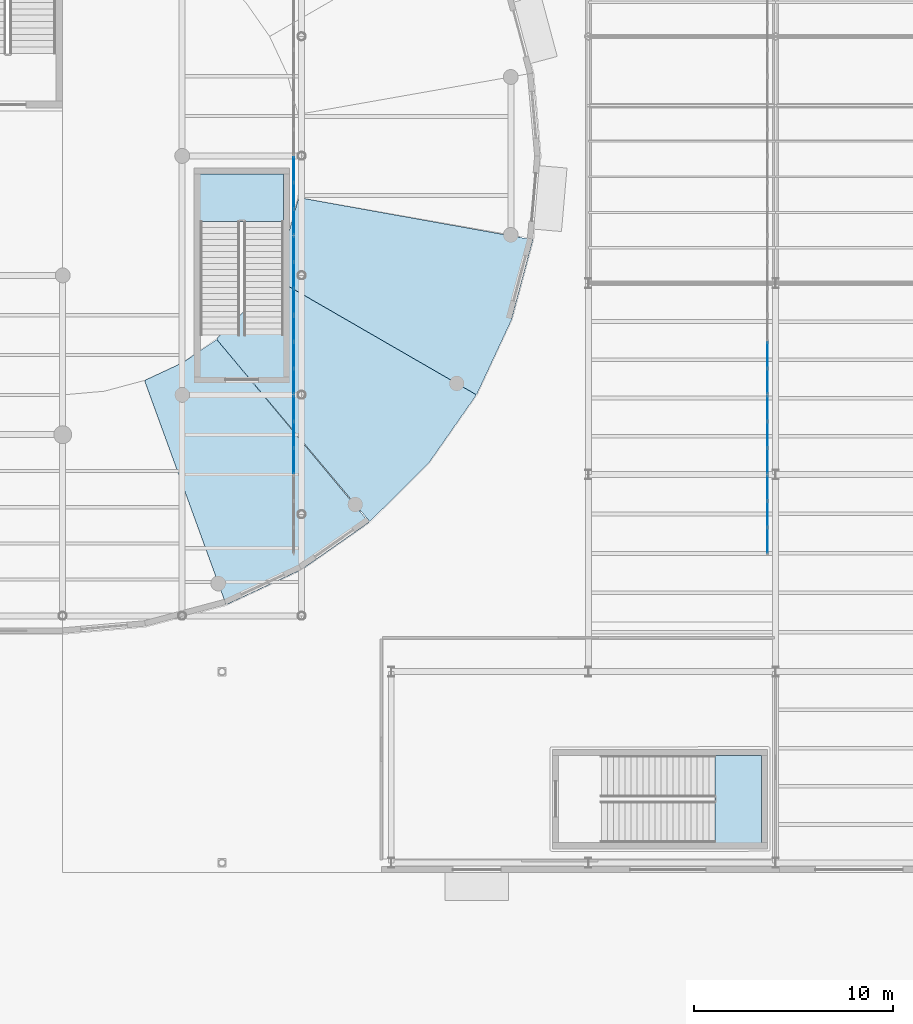
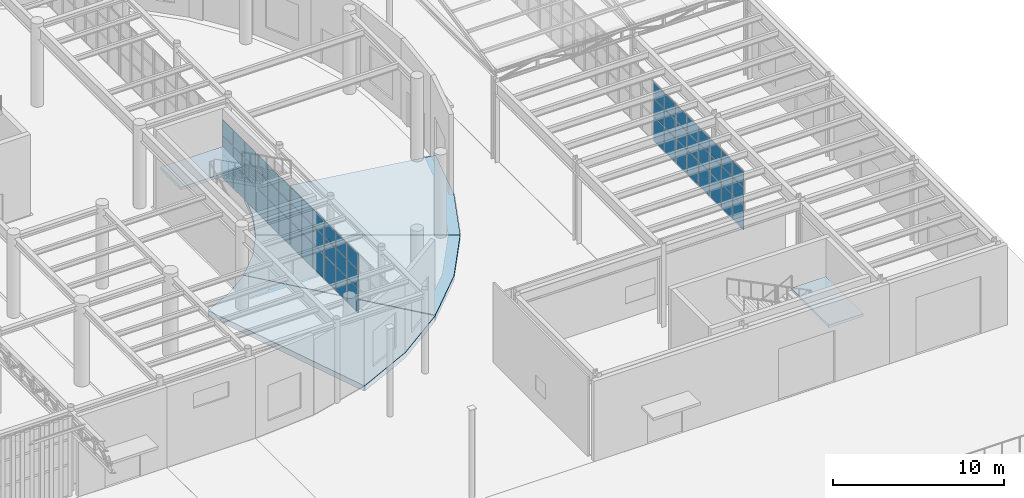
# One storey, part 78 of 118: 60 plates, 5 slabs, 9 elements without a shape of their own.
"""IFC4 building model written with IfcOpenShell, lengths in metres."""

from ifc_helpers import new_model, si_unit, direction, frame, origin, origin_2d, place, context, subcontext, project, spatial, polyline, rectangle, outline, extrude, material, layer, layer_set, type_object, element, aggregate, save


model = new_model("IFC4")

# Units and contexts
model_context = context("Model", 3, precision=1e-05, world=origin(), true_north=direction((0.0, 1.0)))
body_context = subcontext(model_context, "Body", "Model", "MODEL_VIEW")
ifc_project = project(units=[si_unit("LENGTHUNIT", "METRE"), si_unit("AREAUNIT", "SQUARE_METRE"), si_unit("VOLUMEUNIT", "CUBIC_METRE"), si_unit("PLANEANGLEUNIT", "RADIAN"), si_unit("MASSUNIT", "GRAM", prefix="KILO")], contexts=[model_context])

# Site, building, storey
site_placement = place(None, origin())
site = spatial("IfcSite", under=ifc_project, at=site_placement, CompositionType="ELEMENT")
building_placement = place(site_placement, origin())
building = spatial("IfcBuilding", under=site, at=building_placement, Name="Kolvaren Corner Interchange", CompositionType="ELEMENT")
storey_placement = place(building_placement, origin())
storey = spatial("IfcBuildingStorey", under=building, at=storey_placement, Name="L01", CompositionType="ELEMENT", Elevation=0.0)

# Curtain wall, plates
ifc_material_1 = material(Name="Unitised Aluminium and Solar-Control Glass Curtain Wall", Category="aluminium")
curtain_wall_type = type_object("IfcCurtainWallType", Name="CW-V4-BOARD", PredefinedType="NOTDEFINED", material=ifc_material_1)
curtain_wall_1_placement = place(storey_placement, origin())
curtain_wall_1 = element("IfcCurtainWall", 1, at=curtain_wall_1_placement, inside=storey, type_object=curtain_wall_type, Name="Bus Island West Boarding Curtain Wall Bay 02", PredefinedType="NOTDEFINED")
ifc_material_2 = material(Name="Low-E Solar-Control Laminated Glass", Category="glass")
ifc_layer_1 = layer(ifc_material_2, 0.035888671875)
ifc_layer_set_1 = layer_set([ifc_layer_1], Name="Low-E Solar-Control Laminated Glass")
plate_type = type_object("IfcPlateType", Name="PLT-CW-GL32", PredefinedType="CURTAIN_PANEL", material=ifc_layer_set_1)
plate_1_placement = place(storey_placement, frame((131.60009765625, 32.681640625, 0.05517578125), z_axis=(0.0, 0.0, 1.0), x_axis=(0.0, 1.0, 0.0)))
plate_1 = element("IfcPlate", 2, at=plate_1_placement, type_object=plate_type, Name="CW-127 panel 1.1", PredefinedType="CURTAIN_PANEL", context=body_context, shape_type="SweptSolid", body=[
    extrude(rectangle(XDim=1.243408203125, YDim=0.035888671875, at=origin_2d()), origin(), (0.0, 0.0, 1.0), 1.717529296875),
])
plate_2_placement = place(storey_placement, frame((131.60009765625, 32.681640625, 1.827392578125), z_axis=(0.0, 0.0, 1.0), x_axis=(0.0, 1.0, 0.0)))
plate_2 = element("IfcPlate", 3, at=plate_2_placement, type_object=plate_type, Name="CW-127 panel 1.2", PredefinedType="CURTAIN_PANEL", context=body_context, shape_type="SweptSolid", body=[
    extrude(rectangle(XDim=1.243408203125, YDim=0.035888671875, at=origin_2d()), origin(), (0.0, 0.0, 1.0), 1.2451171875),
])
plate_3_placement = place(storey_placement, frame((131.60009765625, 32.681640625, 3.12744140625), z_axis=(0.0, 0.0, 1.0), x_axis=(0.0, 1.0, 0.0)))
plate_3 = element("IfcPlate", 4, at=plate_3_placement, type_object=plate_type, Name="CW-127 panel 1.3", PredefinedType="CURTAIN_PANEL", context=body_context, shape_type="SweptSolid", body=[
    extrude(rectangle(XDim=1.243408203125, YDim=0.035888671875, at=origin_2d()), origin(), (0.0, 0.0, 1.0), 1.117431640625),
])
plate_4_placement = place(storey_placement, frame((131.60009765625, 34.0, 0.05517578125), z_axis=(0.0, 0.0, 1.0), x_axis=(0.0, 1.0, 0.0)))
plate_4 = element("IfcPlate", 5, at=plate_4_placement, type_object=plate_type, Name="CW-127 panel 2.1", PredefinedType="CURTAIN_PANEL", context=body_context, shape_type="SweptSolid", body=[
    extrude(rectangle(XDim=1.2734375, YDim=0.035888671875, at=origin_2d()), origin(), (0.0, 0.0, 1.0), 1.717529296875),
])
plate_5_placement = place(storey_placement, frame((131.60009765625, 34.0, 1.827392578125), z_axis=(0.0, 0.0, 1.0), x_axis=(0.0, 1.0, 0.0)))
plate_5 = element("IfcPlate", 6, at=plate_5_placement, type_object=plate_type, Name="CW-127 panel 2.2", PredefinedType="CURTAIN_PANEL", context=body_context, shape_type="SweptSolid", body=[
    extrude(rectangle(XDim=1.2734375, YDim=0.035888671875, at=origin_2d()), origin(), (0.0, 0.0, 1.0), 1.2451171875),
])
plate_6_placement = place(storey_placement, frame((131.60009765625, 34.0, 3.12744140625), z_axis=(0.0, 0.0, 1.0), x_axis=(0.0, 1.0, 0.0)))
plate_6 = element("IfcPlate", 7, at=plate_6_placement, type_object=plate_type, Name="CW-127 panel 2.3", PredefinedType="CURTAIN_PANEL", context=body_context, shape_type="SweptSolid", body=[
    extrude(rectangle(XDim=1.2734375, YDim=0.035888671875, at=origin_2d()), origin(), (0.0, 0.0, 1.0), 1.117431640625),
])
plate_7_placement = place(storey_placement, frame((131.60009765625, 35.318359375, 0.05517578125), z_axis=(0.0, 0.0, 1.0), x_axis=(0.0, 1.0, 0.0)))
plate_7 = element("IfcPlate", 8, at=plate_7_placement, type_object=plate_type, Name="CW-127 panel 3.1", PredefinedType="CURTAIN_PANEL", context=body_context, shape_type="SweptSolid", body=[
    extrude(rectangle(XDim=1.243408203125, YDim=0.035888671875, at=origin_2d()), origin(), (0.0, 0.0, 1.0), 1.717529296875),
])
plate_8_placement = place(storey_placement, frame((131.60009765625, 35.318359375, 1.827392578125), z_axis=(0.0, 0.0, 1.0), x_axis=(0.0, 1.0, 0.0)))
plate_8 = element("IfcPlate", 9, at=plate_8_placement, type_object=plate_type, Name="CW-127 panel 3.2", PredefinedType="CURTAIN_PANEL", context=body_context, shape_type="SweptSolid", body=[
    extrude(rectangle(XDim=1.243408203125, YDim=0.035888671875, at=origin_2d()), origin(), (0.0, 0.0, 1.0), 1.2451171875),
])
plate_9_placement = place(storey_placement, frame((131.60009765625, 35.318359375, 3.12744140625), z_axis=(0.0, 0.0, 1.0), x_axis=(0.0, 1.0, 0.0)))
plate_9 = element("IfcPlate", 10, at=plate_9_placement, type_object=plate_type, Name="CW-127 panel 3.3", PredefinedType="CURTAIN_PANEL", context=body_context, shape_type="SweptSolid", body=[
    extrude(rectangle(XDim=1.243408203125, YDim=0.035888671875, at=origin_2d()), origin(), (0.0, 0.0, 1.0), 1.117431640625),
])
aggregate(curtain_wall_1, [plate_1, plate_2, plate_3, plate_4, plate_5, plate_6, plate_7, plate_8, plate_9])

curtain_wall_2_placement = place(storey_placement, origin())
curtain_wall_2 = element("IfcCurtainWall", 11, at=curtain_wall_2_placement, inside=storey, type_object=curtain_wall_type, Name="Bus Island West Boarding Curtain Wall Bay 03", PredefinedType="NOTDEFINED")
plate_10_placement = place(storey_placement, frame((131.60009765625, 36.681640625, 0.05517578125), z_axis=(0.0, 0.0, 1.0), x_axis=(0.0, 1.0, 0.0)))
plate_10 = element("IfcPlate", 12, at=plate_10_placement, type_object=plate_type, Name="CW-128 panel 1.1", PredefinedType="CURTAIN_PANEL", context=body_context, shape_type="SweptSolid", body=[
    extrude(rectangle(XDim=1.243408203125, YDim=0.035888671875, at=origin_2d()), origin(), (0.0, 0.0, 1.0), 1.717529296875),
])
plate_11_placement = place(storey_placement, frame((131.60009765625, 36.681640625, 1.827392578125), z_axis=(0.0, 0.0, 1.0), x_axis=(0.0, 1.0, 0.0)))
plate_11 = element("IfcPlate", 13, at=plate_11_placement, type_object=plate_type, Name="CW-128 panel 1.2", PredefinedType="CURTAIN_PANEL", context=body_context, shape_type="SweptSolid", body=[
    extrude(rectangle(XDim=1.243408203125, YDim=0.035888671875, at=origin_2d()), origin(), (0.0, 0.0, 1.0), 1.2451171875),
])
plate_12_placement = place(storey_placement, frame((131.60009765625, 36.681640625, 3.12744140625), z_axis=(0.0, 0.0, 1.0), x_axis=(0.0, 1.0, 0.0)))
plate_12 = element("IfcPlate", 14, at=plate_12_placement, type_object=plate_type, Name="CW-128 panel 1.3", PredefinedType="CURTAIN_PANEL", context=body_context, shape_type="SweptSolid", body=[
    extrude(rectangle(XDim=1.243408203125, YDim=0.035888671875, at=origin_2d()), origin(), (0.0, 0.0, 1.0), 1.117431640625),
])
plate_13_placement = place(storey_placement, frame((131.60009765625, 38.0, 0.05517578125), z_axis=(0.0, 0.0, 1.0), x_axis=(0.0, 1.0, 0.0)))
plate_13 = element("IfcPlate", 15, at=plate_13_placement, type_object=plate_type, Name="CW-128 panel 2.1", PredefinedType="CURTAIN_PANEL", context=body_context, shape_type="SweptSolid", body=[
    extrude(rectangle(XDim=1.2734375, YDim=0.035888671875, at=origin_2d()), origin(), (0.0, 0.0, 1.0), 1.717529296875),
])
plate_14_placement = place(storey_placement, frame((131.60009765625, 38.0, 1.827392578125), z_axis=(0.0, 0.0, 1.0), x_axis=(0.0, 1.0, 0.0)))
plate_14 = element("IfcPlate", 16, at=plate_14_placement, type_object=plate_type, Name="CW-128 panel 2.2", PredefinedType="CURTAIN_PANEL", context=body_context, shape_type="SweptSolid", body=[
    extrude(rectangle(XDim=1.2734375, YDim=0.035888671875, at=origin_2d()), origin(), (0.0, 0.0, 1.0), 1.2451171875),
])
plate_15_placement = place(storey_placement, frame((131.60009765625, 38.0, 3.12744140625), z_axis=(0.0, 0.0, 1.0), x_axis=(0.0, 1.0, 0.0)))
plate_15 = element("IfcPlate", 17, at=plate_15_placement, type_object=plate_type, Name="CW-128 panel 2.3", PredefinedType="CURTAIN_PANEL", context=body_context, shape_type="SweptSolid", body=[
    extrude(rectangle(XDim=1.2734375, YDim=0.035888671875, at=origin_2d()), origin(), (0.0, 0.0, 1.0), 1.117431640625),
])
plate_16_placement = place(storey_placement, frame((131.60009765625, 39.318359375, 0.05517578125), z_axis=(0.0, 0.0, 1.0), x_axis=(0.0, 1.0, 0.0)))
plate_16 = element("IfcPlate", 18, at=plate_16_placement, type_object=plate_type, Name="CW-128 panel 3.1", PredefinedType="CURTAIN_PANEL", context=body_context, shape_type="SweptSolid", body=[
    extrude(rectangle(XDim=1.243408203125, YDim=0.035888671875, at=origin_2d()), origin(), (0.0, 0.0, 1.0), 1.717529296875),
])
plate_17_placement = place(storey_placement, frame((131.60009765625, 39.318359375, 1.827392578125), z_axis=(0.0, 0.0, 1.0), x_axis=(0.0, 1.0, 0.0)))
plate_17 = element("IfcPlate", 19, at=plate_17_placement, type_object=plate_type, Name="CW-128 panel 3.2", PredefinedType="CURTAIN_PANEL", context=body_context, shape_type="SweptSolid", body=[
    extrude(rectangle(XDim=1.243408203125, YDim=0.035888671875, at=origin_2d()), origin(), (0.0, 0.0, 1.0), 1.2451171875),
])
plate_18_placement = place(storey_placement, frame((131.60009765625, 39.318359375, 3.12744140625), z_axis=(0.0, 0.0, 1.0), x_axis=(0.0, 1.0, 0.0)))
plate_18 = element("IfcPlate", 20, at=plate_18_placement, type_object=plate_type, Name="CW-128 panel 3.3", PredefinedType="CURTAIN_PANEL", context=body_context, shape_type="SweptSolid", body=[
    extrude(rectangle(XDim=1.243408203125, YDim=0.035888671875, at=origin_2d()), origin(), (0.0, 0.0, 1.0), 1.117431640625),
])
aggregate(curtain_wall_2, [plate_10, plate_11, plate_12, plate_13, plate_14, plate_15, plate_16, plate_17, plate_18])

curtain_wall_3_placement = place(storey_placement, origin())
curtain_wall_3 = element("IfcCurtainWall", 21, at=curtain_wall_3_placement, inside=storey, type_object=curtain_wall_type, Name="Bus Island West Boarding Curtain Wall Bay 04", PredefinedType="NOTDEFINED")
plate_19_placement = place(storey_placement, frame((131.60009765625, 40.681640625, 0.05517578125), z_axis=(0.0, 0.0, 1.0), x_axis=(0.0, 1.0, 0.0)))
plate_19 = element("IfcPlate", 22, at=plate_19_placement, type_object=plate_type, Name="CW-129 panel 1.1", PredefinedType="CURTAIN_PANEL", context=body_context, shape_type="SweptSolid", body=[
    extrude(rectangle(XDim=1.243408203125, YDim=0.035888671875, at=origin_2d()), origin(), (0.0, 0.0, 1.0), 1.717529296875),
])
plate_20_placement = place(storey_placement, frame((131.60009765625, 40.681640625, 1.827392578125), z_axis=(0.0, 0.0, 1.0), x_axis=(0.0, 1.0, 0.0)))
plate_20 = element("IfcPlate", 23, at=plate_20_placement, type_object=plate_type, Name="CW-129 panel 1.2", PredefinedType="CURTAIN_PANEL", context=body_context, shape_type="SweptSolid", body=[
    extrude(rectangle(XDim=1.243408203125, YDim=0.035888671875, at=origin_2d()), origin(), (0.0, 0.0, 1.0), 1.2451171875),
])
plate_21_placement = place(storey_placement, frame((131.60009765625, 40.681640625, 3.12744140625), z_axis=(0.0, 0.0, 1.0), x_axis=(0.0, 1.0, 0.0)))
plate_21 = element("IfcPlate", 24, at=plate_21_placement, type_object=plate_type, Name="CW-129 panel 1.3", PredefinedType="CURTAIN_PANEL", context=body_context, shape_type="SweptSolid", body=[
    extrude(rectangle(XDim=1.243408203125, YDim=0.035888671875, at=origin_2d()), origin(), (0.0, 0.0, 1.0), 1.117431640625),
])
plate_22_placement = place(storey_placement, frame((131.60009765625, 42.0, 0.05517578125), z_axis=(0.0, 0.0, 1.0), x_axis=(0.0, 1.0, 0.0)))
plate_22 = element("IfcPlate", 25, at=plate_22_placement, type_object=plate_type, Name="CW-129 panel 2.1", PredefinedType="CURTAIN_PANEL", context=body_context, shape_type="SweptSolid", body=[
    extrude(rectangle(XDim=1.2734375, YDim=0.035888671875, at=origin_2d()), origin(), (0.0, 0.0, 1.0), 1.717529296875),
])
plate_23_placement = place(storey_placement, frame((131.60009765625, 42.0, 1.827392578125), z_axis=(0.0, 0.0, 1.0), x_axis=(0.0, 1.0, 0.0)))
plate_23 = element("IfcPlate", 26, at=plate_23_placement, type_object=plate_type, Name="CW-129 panel 2.2", PredefinedType="CURTAIN_PANEL", context=body_context, shape_type="SweptSolid", body=[
    extrude(rectangle(XDim=1.2734375, YDim=0.035888671875, at=origin_2d()), origin(), (0.0, 0.0, 1.0), 1.2451171875),
])
plate_24_placement = place(storey_placement, frame((131.60009765625, 42.0, 3.12744140625), z_axis=(0.0, 0.0, 1.0), x_axis=(0.0, 1.0, 0.0)))
plate_24 = element("IfcPlate", 27, at=plate_24_placement, type_object=plate_type, Name="CW-129 panel 2.3", PredefinedType="CURTAIN_PANEL", context=body_context, shape_type="SweptSolid", body=[
    extrude(rectangle(XDim=1.2734375, YDim=0.035888671875, at=origin_2d()), origin(), (0.0, 0.0, 1.0), 1.117431640625),
])
plate_25_placement = place(storey_placement, frame((131.60009765625, 43.318359375, 0.05517578125), z_axis=(0.0, 0.0, 1.0), x_axis=(0.0, 1.0, 0.0)))
plate_25 = element("IfcPlate", 28, at=plate_25_placement, type_object=plate_type, Name="CW-129 panel 3.1", PredefinedType="CURTAIN_PANEL", context=body_context, shape_type="SweptSolid", body=[
    extrude(rectangle(XDim=1.243408203125, YDim=0.035888671875, at=origin_2d()), origin(), (0.0, 0.0, 1.0), 1.717529296875),
])
plate_26_placement = place(storey_placement, frame((131.60009765625, 43.318359375, 1.827392578125), z_axis=(0.0, 0.0, 1.0), x_axis=(0.0, 1.0, 0.0)))
plate_26 = element("IfcPlate", 29, at=plate_26_placement, type_object=plate_type, Name="CW-129 panel 3.2", PredefinedType="CURTAIN_PANEL", context=body_context, shape_type="SweptSolid", body=[
    extrude(rectangle(XDim=1.243408203125, YDim=0.035888671875, at=origin_2d()), origin(), (0.0, 0.0, 1.0), 1.2451171875),
])
plate_27_placement = place(storey_placement, frame((131.60009765625, 43.318359375, 3.12744140625), z_axis=(0.0, 0.0, 1.0), x_axis=(0.0, 1.0, 0.0)))
plate_27 = element("IfcPlate", 30, at=plate_27_placement, type_object=plate_type, Name="CW-129 panel 3.3", PredefinedType="CURTAIN_PANEL", context=body_context, shape_type="SweptSolid", body=[
    extrude(rectangle(XDim=1.243408203125, YDim=0.035888671875, at=origin_2d()), origin(), (0.0, 0.0, 1.0), 1.117431640625),
])
aggregate(curtain_wall_3, [plate_19, plate_20, plate_21, plate_22, plate_23, plate_24, plate_25, plate_26, plate_27])

curtain_wall_4_placement = place(storey_placement, origin())
curtain_wall_4 = element("IfcCurtainWall", 31, at=curtain_wall_4_placement, inside=storey, type_object=curtain_wall_type, Name="Bus Island West Boarding Curtain Wall Bay 05", PredefinedType="NOTDEFINED")
plate_28_placement = place(storey_placement, frame((131.60009765625, 44.681640625, 0.05517578125), z_axis=(0.0, 0.0, 1.0), x_axis=(0.0, 1.0, 0.0)))
plate_28 = element("IfcPlate", 32, at=plate_28_placement, type_object=plate_type, Name="CW-130 panel 1.1", PredefinedType="CURTAIN_PANEL", context=body_context, shape_type="SweptSolid", body=[
    extrude(rectangle(XDim=1.243408203125, YDim=0.035888671875, at=origin_2d()), origin(), (0.0, 0.0, 1.0), 1.717529296875),
])
plate_29_placement = place(storey_placement, frame((131.60009765625, 44.681640625, 1.827392578125), z_axis=(0.0, 0.0, 1.0), x_axis=(0.0, 1.0, 0.0)))
plate_29 = element("IfcPlate", 33, at=plate_29_placement, type_object=plate_type, Name="CW-130 panel 1.2", PredefinedType="CURTAIN_PANEL", context=body_context, shape_type="SweptSolid", body=[
    extrude(rectangle(XDim=1.243408203125, YDim=0.035888671875, at=origin_2d()), origin(), (0.0, 0.0, 1.0), 1.2451171875),
])
plate_30_placement = place(storey_placement, frame((131.60009765625, 44.681640625, 3.12744140625), z_axis=(0.0, 0.0, 1.0), x_axis=(0.0, 1.0, 0.0)))
plate_30 = element("IfcPlate", 34, at=plate_30_placement, type_object=plate_type, Name="CW-130 panel 1.3", PredefinedType="CURTAIN_PANEL", context=body_context, shape_type="SweptSolid", body=[
    extrude(rectangle(XDim=1.243408203125, YDim=0.035888671875, at=origin_2d()), origin(), (0.0, 0.0, 1.0), 1.117431640625),
])
plate_31_placement = place(storey_placement, frame((131.60009765625, 46.0, 0.05517578125), z_axis=(0.0, 0.0, 1.0), x_axis=(0.0, 1.0, 0.0)))
plate_31 = element("IfcPlate", 35, at=plate_31_placement, type_object=plate_type, Name="CW-130 panel 2.1", PredefinedType="CURTAIN_PANEL", context=body_context, shape_type="SweptSolid", body=[
    extrude(rectangle(XDim=1.2734375, YDim=0.035888671875, at=origin_2d()), origin(), (0.0, 0.0, 1.0), 1.717529296875),
])
plate_32_placement = place(storey_placement, frame((131.60009765625, 46.0, 1.827392578125), z_axis=(0.0, 0.0, 1.0), x_axis=(0.0, 1.0, 0.0)))
plate_32 = element("IfcPlate", 36, at=plate_32_placement, type_object=plate_type, Name="CW-130 panel 2.2", PredefinedType="CURTAIN_PANEL", context=body_context, shape_type="SweptSolid", body=[
    extrude(rectangle(XDim=1.2734375, YDim=0.035888671875, at=origin_2d()), origin(), (0.0, 0.0, 1.0), 1.2451171875),
])
plate_33_placement = place(storey_placement, frame((131.60009765625, 46.0, 3.12744140625), z_axis=(0.0, 0.0, 1.0), x_axis=(0.0, 1.0, 0.0)))
plate_33 = element("IfcPlate", 37, at=plate_33_placement, type_object=plate_type, Name="CW-130 panel 2.3", PredefinedType="CURTAIN_PANEL", context=body_context, shape_type="SweptSolid", body=[
    extrude(rectangle(XDim=1.2734375, YDim=0.035888671875, at=origin_2d()), origin(), (0.0, 0.0, 1.0), 1.117431640625),
])
plate_34_placement = place(storey_placement, frame((131.60009765625, 47.318359375, 0.05517578125), z_axis=(0.0, 0.0, 1.0), x_axis=(0.0, 1.0, 0.0)))
plate_34 = element("IfcPlate", 38, at=plate_34_placement, type_object=plate_type, Name="CW-130 panel 3.1", PredefinedType="CURTAIN_PANEL", context=body_context, shape_type="SweptSolid", body=[
    extrude(rectangle(XDim=1.243408203125, YDim=0.035888671875, at=origin_2d()), origin(), (0.0, 0.0, 1.0), 1.717529296875),
])
plate_35_placement = place(storey_placement, frame((131.60009765625, 47.318359375, 1.827392578125), z_axis=(0.0, 0.0, 1.0), x_axis=(0.0, 1.0, 0.0)))
plate_35 = element("IfcPlate", 39, at=plate_35_placement, type_object=plate_type, Name="CW-130 panel 3.2", PredefinedType="CURTAIN_PANEL", context=body_context, shape_type="SweptSolid", body=[
    extrude(rectangle(XDim=1.243408203125, YDim=0.035888671875, at=origin_2d()), origin(), (0.0, 0.0, 1.0), 1.2451171875),
])
plate_36_placement = place(storey_placement, frame((131.60009765625, 47.318359375, 3.12744140625), z_axis=(0.0, 0.0, 1.0), x_axis=(0.0, 1.0, 0.0)))
plate_36 = element("IfcPlate", 40, at=plate_36_placement, type_object=plate_type, Name="CW-130 panel 3.3", PredefinedType="CURTAIN_PANEL", context=body_context, shape_type="SweptSolid", body=[
    extrude(rectangle(XDim=1.243408203125, YDim=0.035888671875, at=origin_2d()), origin(), (0.0, 0.0, 1.0), 1.117431640625),
])
aggregate(curtain_wall_4, [plate_28, plate_29, plate_30, plate_31, plate_32, plate_33, plate_34, plate_35, plate_36])

curtain_wall_5_placement = place(storey_placement, origin())
curtain_wall_5 = element("IfcCurtainWall", 41, at=curtain_wall_5_placement, inside=storey, type_object=curtain_wall_type, Name="Bus Island East Boarding Curtain Wall Bay 01", PredefinedType="NOTDEFINED")
plate_37_placement = place(storey_placement, frame((155.39990234375, 28.681640625, 0.05517578125), z_axis=(0.0, 0.0, 1.0), x_axis=(0.0, 1.0, 0.0)))
plate_37 = element("IfcPlate", 42, at=plate_37_placement, type_object=plate_type, Name="CW-138 panel 1.1", PredefinedType="CURTAIN_PANEL", context=body_context, shape_type="SweptSolid", body=[
    extrude(rectangle(XDim=1.243408203125, YDim=0.035888671875, at=origin_2d()), origin(), (0.0, 0.0, 1.0), 1.717529296875),
])
plate_38_placement = place(storey_placement, frame((155.39990234375, 28.681640625, 1.827392578125), z_axis=(0.0, 0.0, 1.0), x_axis=(0.0, 1.0, 0.0)))
plate_38 = element("IfcPlate", 43, at=plate_38_placement, type_object=plate_type, Name="CW-138 panel 1.2", PredefinedType="CURTAIN_PANEL", context=body_context, shape_type="SweptSolid", body=[
    extrude(rectangle(XDim=1.243408203125, YDim=0.035888671875, at=origin_2d()), origin(), (0.0, 0.0, 1.0), 1.2451171875),
])
plate_39_placement = place(storey_placement, frame((155.39990234375, 28.681640625, 3.12744140625), z_axis=(0.0, 0.0, 1.0), x_axis=(0.0, 1.0, 0.0)))
plate_39 = element("IfcPlate", 44, at=plate_39_placement, type_object=plate_type, Name="CW-138 panel 1.3", PredefinedType="CURTAIN_PANEL", context=body_context, shape_type="SweptSolid", body=[
    extrude(rectangle(XDim=1.243408203125, YDim=0.035888671875, at=origin_2d()), origin(), (0.0, 0.0, 1.0), 1.117431640625),
])
plate_40_placement = place(storey_placement, frame((155.39990234375, 30.0, 0.05517578125), z_axis=(0.0, 0.0, 1.0), x_axis=(0.0, 1.0, 0.0)))
plate_40 = element("IfcPlate", 45, at=plate_40_placement, type_object=plate_type, Name="CW-138 panel 2.1", PredefinedType="CURTAIN_PANEL", context=body_context, shape_type="SweptSolid", body=[
    extrude(rectangle(XDim=1.2734375, YDim=0.035888671875, at=origin_2d()), origin(), (0.0, 0.0, 1.0), 1.717529296875),
])
plate_41_placement = place(storey_placement, frame((155.39990234375, 30.0, 1.827392578125), z_axis=(0.0, 0.0, 1.0), x_axis=(0.0, 1.0, 0.0)))
plate_41 = element("IfcPlate", 46, at=plate_41_placement, type_object=plate_type, Name="CW-138 panel 2.2", PredefinedType="CURTAIN_PANEL", context=body_context, shape_type="SweptSolid", body=[
    extrude(rectangle(XDim=1.2734375, YDim=0.035888671875, at=origin_2d()), origin(), (0.0, 0.0, 1.0), 1.2451171875),
])
plate_42_placement = place(storey_placement, frame((155.39990234375, 30.0, 3.12744140625), z_axis=(0.0, 0.0, 1.0), x_axis=(0.0, 1.0, 0.0)))
plate_42 = element("IfcPlate", 47, at=plate_42_placement, type_object=plate_type, Name="CW-138 panel 2.3", PredefinedType="CURTAIN_PANEL", context=body_context, shape_type="SweptSolid", body=[
    extrude(rectangle(XDim=1.2734375, YDim=0.035888671875, at=origin_2d()), origin(), (0.0, 0.0, 1.0), 1.117431640625),
])
plate_43_placement = place(storey_placement, frame((155.39990234375, 31.318359375, 0.05517578125), z_axis=(0.0, 0.0, 1.0), x_axis=(0.0, 1.0, 0.0)))
plate_43 = element("IfcPlate", 48, at=plate_43_placement, type_object=plate_type, Name="CW-138 panel 3.1", PredefinedType="CURTAIN_PANEL", context=body_context, shape_type="SweptSolid", body=[
    extrude(rectangle(XDim=1.243408203125, YDim=0.035888671875, at=origin_2d()), origin(), (0.0, 0.0, 1.0), 1.717529296875),
])
plate_44_placement = place(storey_placement, frame((155.39990234375, 31.318359375, 1.827392578125), z_axis=(0.0, 0.0, 1.0), x_axis=(0.0, 1.0, 0.0)))
plate_44 = element("IfcPlate", 49, at=plate_44_placement, type_object=plate_type, Name="CW-138 panel 3.2", PredefinedType="CURTAIN_PANEL", context=body_context, shape_type="SweptSolid", body=[
    extrude(rectangle(XDim=1.243408203125, YDim=0.035888671875, at=origin_2d()), origin(), (0.0, 0.0, 1.0), 1.2451171875),
])
plate_45_placement = place(storey_placement, frame((155.39990234375, 31.318359375, 3.12744140625), z_axis=(0.0, 0.0, 1.0), x_axis=(0.0, 1.0, 0.0)))
plate_45 = element("IfcPlate", 50, at=plate_45_placement, type_object=plate_type, Name="CW-138 panel 3.3", PredefinedType="CURTAIN_PANEL", context=body_context, shape_type="SweptSolid", body=[
    extrude(rectangle(XDim=1.243408203125, YDim=0.035888671875, at=origin_2d()), origin(), (0.0, 0.0, 1.0), 1.117431640625),
])
aggregate(curtain_wall_5, [plate_37, plate_38, plate_39, plate_40, plate_41, plate_42, plate_43, plate_44, plate_45])

curtain_wall_6_placement = place(storey_placement, origin())
curtain_wall_6 = element("IfcCurtainWall", 51, at=curtain_wall_6_placement, inside=storey, type_object=curtain_wall_type, Name="Bus Island East Boarding Curtain Wall Bay 02", PredefinedType="NOTDEFINED")
plate_46_placement = place(storey_placement, frame((155.39990234375, 32.681640625, 0.05517578125), z_axis=(0.0, 0.0, 1.0), x_axis=(0.0, 1.0, 0.0)))
plate_46 = element("IfcPlate", 52, at=plate_46_placement, type_object=plate_type, Name="CW-139 panel 1.1", PredefinedType="CURTAIN_PANEL", context=body_context, shape_type="SweptSolid", body=[
    extrude(rectangle(XDim=1.243408203125, YDim=0.035888671875, at=origin_2d()), origin(), (0.0, 0.0, 1.0), 1.717529296875),
])
plate_47_placement = place(storey_placement, frame((155.39990234375, 32.681640625, 1.827392578125), z_axis=(0.0, 0.0, 1.0), x_axis=(0.0, 1.0, 0.0)))
plate_47 = element("IfcPlate", 53, at=plate_47_placement, type_object=plate_type, Name="CW-139 panel 1.2", PredefinedType="CURTAIN_PANEL", context=body_context, shape_type="SweptSolid", body=[
    extrude(rectangle(XDim=1.243408203125, YDim=0.035888671875, at=origin_2d()), origin(), (0.0, 0.0, 1.0), 1.2451171875),
])
plate_48_placement = place(storey_placement, frame((155.39990234375, 32.681640625, 3.12744140625), z_axis=(0.0, 0.0, 1.0), x_axis=(0.0, 1.0, 0.0)))
plate_48 = element("IfcPlate", 54, at=plate_48_placement, type_object=plate_type, Name="CW-139 panel 1.3", PredefinedType="CURTAIN_PANEL", context=body_context, shape_type="SweptSolid", body=[
    extrude(rectangle(XDim=1.243408203125, YDim=0.035888671875, at=origin_2d()), origin(), (0.0, 0.0, 1.0), 1.117431640625),
])
plate_49_placement = place(storey_placement, frame((155.39990234375, 34.0, 0.05517578125), z_axis=(0.0, 0.0, 1.0), x_axis=(0.0, 1.0, 0.0)))
plate_49 = element("IfcPlate", 55, at=plate_49_placement, type_object=plate_type, Name="CW-139 panel 2.1", PredefinedType="CURTAIN_PANEL", context=body_context, shape_type="SweptSolid", body=[
    extrude(rectangle(XDim=1.2734375, YDim=0.035888671875, at=origin_2d()), origin(), (0.0, 0.0, 1.0), 1.717529296875),
])
plate_50_placement = place(storey_placement, frame((155.39990234375, 34.0, 1.827392578125), z_axis=(0.0, 0.0, 1.0), x_axis=(0.0, 1.0, 0.0)))
plate_50 = element("IfcPlate", 56, at=plate_50_placement, type_object=plate_type, Name="CW-139 panel 2.2", PredefinedType="CURTAIN_PANEL", context=body_context, shape_type="SweptSolid", body=[
    extrude(rectangle(XDim=1.2734375, YDim=0.035888671875, at=origin_2d()), origin(), (0.0, 0.0, 1.0), 1.2451171875),
])
plate_51_placement = place(storey_placement, frame((155.39990234375, 34.0, 3.12744140625), z_axis=(0.0, 0.0, 1.0), x_axis=(0.0, 1.0, 0.0)))
plate_51 = element("IfcPlate", 57, at=plate_51_placement, type_object=plate_type, Name="CW-139 panel 2.3", PredefinedType="CURTAIN_PANEL", context=body_context, shape_type="SweptSolid", body=[
    extrude(rectangle(XDim=1.2734375, YDim=0.035888671875, at=origin_2d()), origin(), (0.0, 0.0, 1.0), 1.117431640625),
])
plate_52_placement = place(storey_placement, frame((155.39990234375, 35.318359375, 0.05517578125), z_axis=(0.0, 0.0, 1.0), x_axis=(0.0, 1.0, 0.0)))
plate_52 = element("IfcPlate", 58, at=plate_52_placement, type_object=plate_type, Name="CW-139 panel 3.1", PredefinedType="CURTAIN_PANEL", context=body_context, shape_type="SweptSolid", body=[
    extrude(rectangle(XDim=1.243408203125, YDim=0.035888671875, at=origin_2d()), origin(), (0.0, 0.0, 1.0), 1.717529296875),
])
plate_53_placement = place(storey_placement, frame((155.39990234375, 35.318359375, 1.827392578125), z_axis=(0.0, 0.0, 1.0), x_axis=(0.0, 1.0, 0.0)))
plate_53 = element("IfcPlate", 59, at=plate_53_placement, type_object=plate_type, Name="CW-139 panel 3.2", PredefinedType="CURTAIN_PANEL", context=body_context, shape_type="SweptSolid", body=[
    extrude(rectangle(XDim=1.243408203125, YDim=0.035888671875, at=origin_2d()), origin(), (0.0, 0.0, 1.0), 1.2451171875),
])
plate_54_placement = place(storey_placement, frame((155.39990234375, 35.318359375, 3.12744140625), z_axis=(0.0, 0.0, 1.0), x_axis=(0.0, 1.0, 0.0)))
plate_54 = element("IfcPlate", 60, at=plate_54_placement, type_object=plate_type, Name="CW-139 panel 3.3", PredefinedType="CURTAIN_PANEL", context=body_context, shape_type="SweptSolid", body=[
    extrude(rectangle(XDim=1.243408203125, YDim=0.035888671875, at=origin_2d()), origin(), (0.0, 0.0, 1.0), 1.117431640625),
])
aggregate(curtain_wall_6, [plate_46, plate_47, plate_48, plate_49, plate_50, plate_51, plate_52, plate_53, plate_54])

curtain_wall_7_placement = place(storey_placement, origin())
curtain_wall_7 = element("IfcCurtainWall", 61, at=curtain_wall_7_placement, inside=storey, type_object=curtain_wall_type, Name="Bus Island East Boarding Curtain Wall Bay 03", PredefinedType="NOTDEFINED")
plate_55_placement = place(storey_placement, frame((155.39990234375, 36.681640625, 0.05517578125), z_axis=(0.0, 0.0, 1.0), x_axis=(0.0, 1.0, 0.0)))
plate_55 = element("IfcPlate", 62, at=plate_55_placement, type_object=plate_type, Name="CW-140 panel 1.1", PredefinedType="CURTAIN_PANEL", context=body_context, shape_type="SweptSolid", body=[
    extrude(rectangle(XDim=1.243408203125, YDim=0.035888671875, at=origin_2d()), origin(), (0.0, 0.0, 1.0), 1.717529296875),
])
plate_56_placement = place(storey_placement, frame((155.39990234375, 36.681640625, 1.827392578125), z_axis=(0.0, 0.0, 1.0), x_axis=(0.0, 1.0, 0.0)))
plate_56 = element("IfcPlate", 63, at=plate_56_placement, type_object=plate_type, Name="CW-140 panel 1.2", PredefinedType="CURTAIN_PANEL", context=body_context, shape_type="SweptSolid", body=[
    extrude(rectangle(XDim=1.243408203125, YDim=0.035888671875, at=origin_2d()), origin(), (0.0, 0.0, 1.0), 1.2451171875),
])
plate_57_placement = place(storey_placement, frame((155.39990234375, 36.681640625, 3.12744140625), z_axis=(0.0, 0.0, 1.0), x_axis=(0.0, 1.0, 0.0)))
plate_57 = element("IfcPlate", 64, at=plate_57_placement, type_object=plate_type, Name="CW-140 panel 1.3", PredefinedType="CURTAIN_PANEL", context=body_context, shape_type="SweptSolid", body=[
    extrude(rectangle(XDim=1.243408203125, YDim=0.035888671875, at=origin_2d()), origin(), (0.0, 0.0, 1.0), 1.117431640625),
])
plate_58_placement = place(storey_placement, frame((155.39990234375, 38.0, 0.05517578125), z_axis=(0.0, 0.0, 1.0), x_axis=(0.0, 1.0, 0.0)))
plate_58 = element("IfcPlate", 65, at=plate_58_placement, type_object=plate_type, Name="CW-140 panel 2.1", PredefinedType="CURTAIN_PANEL", context=body_context, shape_type="SweptSolid", body=[
    extrude(rectangle(XDim=1.2734375, YDim=0.035888671875, at=origin_2d()), origin(), (0.0, 0.0, 1.0), 1.717529296875),
])
plate_59_placement = place(storey_placement, frame((155.39990234375, 38.0, 1.827392578125), z_axis=(0.0, 0.0, 1.0), x_axis=(0.0, 1.0, 0.0)))
plate_59 = element("IfcPlate", 66, at=plate_59_placement, type_object=plate_type, Name="CW-140 panel 2.2", PredefinedType="CURTAIN_PANEL", context=body_context, shape_type="SweptSolid", body=[
    extrude(rectangle(XDim=1.2734375, YDim=0.035888671875, at=origin_2d()), origin(), (0.0, 0.0, 1.0), 1.2451171875),
])
plate_60_placement = place(storey_placement, frame((155.39990234375, 38.0, 3.12744140625), z_axis=(0.0, 0.0, 1.0), x_axis=(0.0, 1.0, 0.0)))
plate_60 = element("IfcPlate", 67, at=plate_60_placement, type_object=plate_type, Name="CW-140 panel 2.3", PredefinedType="CURTAIN_PANEL", context=body_context, shape_type="SweptSolid", body=[
    extrude(rectangle(XDim=1.2734375, YDim=0.035888671875, at=origin_2d()), origin(), (0.0, 0.0, 1.0), 1.117431640625),
])
aggregate(curtain_wall_7, [plate_55, plate_56, plate_57, plate_58, plate_59, plate_60])

# Stair, slab
ifc_material_3 = material(Name="Concrete C35/45", Category="concrete")
stair_type_1 = type_object("IfcStairType", Name="ST-GL-2000", PredefinedType="HALF_TURN_STAIR", material=ifc_material_3)
stair_1_placement = place(storey_placement, origin())
stair_1 = element("IfcStair", 68, at=stair_1_placement, inside=storey, type_object=stair_type_1, Name="East Racetrack Concourse Gallery Stair L01 to L02 Stair", PredefinedType="HALF_TURN_STAIR")
ifc_material_4 = material(Name="Concrete C35/45", Category="concrete")
ifc_layer_2 = layer(ifc_material_4, 0.199951171875)
ifc_layer_set_2 = layer_set([ifc_layer_2], Name="Concrete C35/45")
slab_type_1 = type_object("IfcSlabType", Name="SL-STAIR-LAND200", PredefinedType="LANDING", material=ifc_layer_set_2)
slab_1_placement = place(storey_placement, frame((0.0, 0.0, 2.800048828125)))
slab_1 = element("IfcSlab", 69, at=slab_1_placement, type_object=slab_type_1, Name="East Racetrack Concourse Gallery Stair L01 Intermediate Half Landing Slab", PredefinedType="LANDING", context=body_context, shape_type="SweptSolid", body=[
    extrude(outline(polyline([(131.10009765625, 44.699951171875), (131.10009765625, 47.10009765625), (126.89990234375, 47.10009765625), (126.89990234375, 44.699951171875), (131.10009765625, 44.699951171875)])), origin(), (0.0, 0.0, 1.0), 0.199951171875),
])
aggregate(stair_1, [slab_1])

ifc_material_5 = material(Name="Concrete C35/45", Category="concrete")
stair_type_2 = type_object("IfcStairType", Name="ST-PL-2100", PredefinedType="HALF_TURN_STAIR", material=ifc_material_5)
stair_2_placement = place(storey_placement, origin())
stair_2 = element("IfcStair", 70, at=stair_2_placement, inside=storey, type_object=stair_type_2, Name="Bus Dispatch Lounge Exit Stair L01 to L02 Stair", PredefinedType="HALF_TURN_STAIR")
slab_2_placement = place(storey_placement, frame((0.0, 0.0, 2.800048828125)))
slab_2 = element("IfcSlab", 71, at=slab_2_placement, type_object=slab_type_1, Name="Bus Dispatch Lounge Exit Stair L01 Intermediate Half Landing Slab", PredefinedType="LANDING", context=body_context, shape_type="SweptSolid", body=[
    extrude(outline(polyline([(152.75, 13.5), (155.10009765625, 13.5), (155.10009765625, 17.89990234375), (152.75, 17.89990234375), (152.75, 13.5)])), origin(), (0.0, 0.0, 1.0), 0.199951171875),
])
aggregate(stair_2, [slab_2])

# Slabs
ifc_material_6 = material(Name="Concrete C40/50", Category="concrete")
ifc_layer_3 = layer(ifc_material_6, 0.39990234375)
ifc_layer_set_3 = layer_set([ifc_layer_3], Name="Concrete C40/50")
slab_type_2 = type_object("IfcSlabType", Name="SL-TRANSFER-400", PredefinedType="FLOOR", material=ifc_layer_set_3)
slab_3_placement = place(storey_placement, frame((0.0, 0.0, -0.39990234375)))
element("IfcSlab", 72, at=slab_3_placement, inside=storey, type_object=slab_type_2, Name="Level 01 Racetrack East Radial Sector Slab 02", PredefinedType="FLOOR", context=body_context, shape_type="SweptSolid", body=[
    extrude(outline(polyline([(128.248046875, 25.4658203125), (132.0, 27.215576171875), (135.39111328125, 29.58984375), (127.737060546875, 38.779296875), (126.0, 37.607666015625), (124.137451171875, 36.7392578125), (124.114501953125, 36.70068359375), (128.193603515625, 25.48828125), (128.248046875, 25.4658203125)])), origin(), (0.0, 0.0, 1.0), 0.39990234375),
])
slab_4_placement = place(storey_placement, frame((0.0, 0.0, -0.39990234375)))
element("IfcSlab", 73, at=slab_4_placement, inside=storey, type_object=slab_type_2, Name="Level 01 Racetrack East Radial Sector Slab 03", PredefinedType="FLOOR", context=body_context, shape_type="SweptSolid", body=[
    extrude(outline(polyline([(127.737060546875, 38.779296875), (135.421875, 29.634765625), (138.385009765625, 32.5732421875), (140.765869140625, 35.978515625), (140.746826171875, 36.021728515625), (130.4130859375, 41.986083984375), (130.371337890625, 41.969970703125), (129.1923828125, 40.28662109375), (127.739501953125, 38.83349609375), (127.737060546875, 38.779296875)])), origin(), (0.0, 0.0, 1.0), 0.39990234375),
])
slab_5_placement = place(storey_placement, frame((0.0, 0.0, -0.39990234375)))
element("IfcSlab", 74, at=slab_5_placement, inside=storey, type_object=slab_type_2, Name="Level 01 Racetrack East Radial Sector Slab 04", PredefinedType="FLOOR", context=body_context, shape_type="SweptSolid", body=[
    extrude(outline(polyline([(140.802978515625, 36.03955078125), (142.552490234375, 39.79150390625), (143.6240234375, 43.790283203125), (131.853759765625, 45.909912109375), (131.2763671875, 43.895751953125), (130.40771484375, 42.033203125), (130.414794921875, 41.989013671875), (140.746826171875, 36.021728515625), (140.802978515625, 36.03955078125)])), origin(), (0.0, 0.0, 1.0), 0.39990234375),
])

save(model, "model.ifc")
